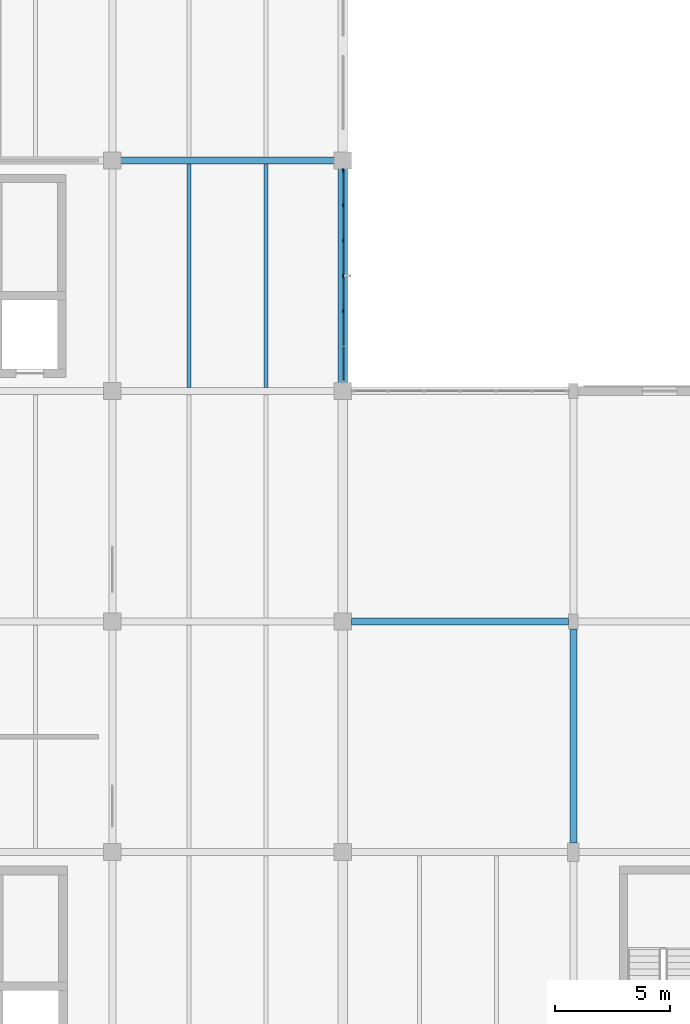
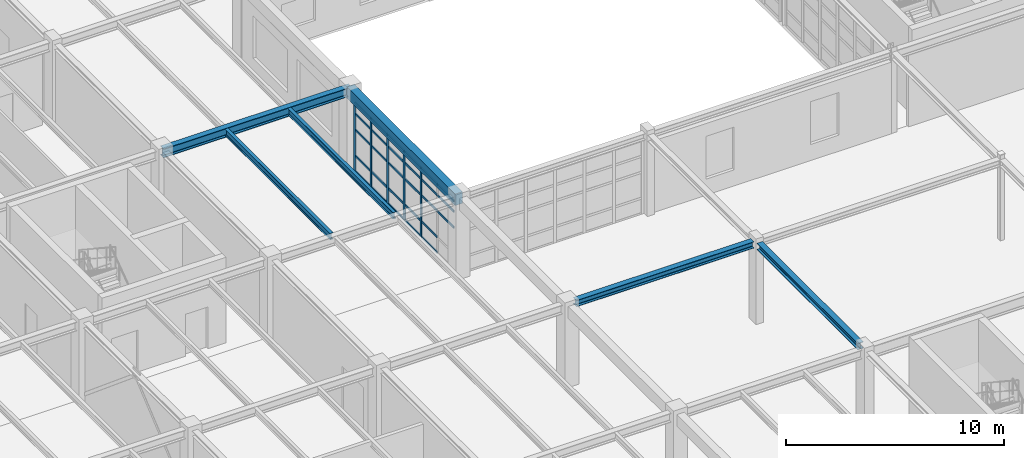
# One storey, part 34 of 139: 33 members, 6 beams, 1 element without a shape of its own.
"""IFC4 building model written with IfcOpenShell, lengths in metres."""

from ifc_helpers import new_model, si_unit, direction, frame, origin, origin_2d, place, context, subcontext, project, spatial, rectangle, i_section, extrude, material, layer, layer_set, material_profile, profile_set, type_object, element, aggregate, save


model = new_model("IFC4")

# Units and contexts
model_context = context("Model", 3, precision=1e-05, world=origin(), true_north=direction((0.0, 1.0)))
body_context = subcontext(model_context, "Body", "Model", "MODEL_VIEW")
ifc_project = project(units=[si_unit("LENGTHUNIT", "METRE"), si_unit("AREAUNIT", "SQUARE_METRE"), si_unit("VOLUMEUNIT", "CUBIC_METRE"), si_unit("PLANEANGLEUNIT", "RADIAN"), si_unit("MASSUNIT", "GRAM", prefix="KILO"), si_unit("THERMODYNAMICTEMPERATUREUNIT", "KELVIN"), si_unit("POWERUNIT", "WATT")], contexts=[model_context])

# Site, building, storey
site_placement = place(None, origin())
site = spatial("IfcSite", under=ifc_project, at=site_placement, CompositionType="ELEMENT")
building_placement = place(site_placement, origin())
building = spatial("IfcBuilding", under=site, at=building_placement, Name="Korenveer Ferry Terminal", CompositionType="ELEMENT")
storey_placement = place(building_placement, frame((0.0, 0.0, 5.39990234375)))
storey = spatial("IfcBuildingStorey", under=building, at=storey_placement, Name="L01", CompositionType="ELEMENT", Elevation=5.39990234375)

# Curtain wall, members
ifc_material_1 = material(Name="Unitised bronze-and-glass curtain wall", Category="glass")
ifc_layer = layer(ifc_material_1, 0.159912109375)
ifc_layer_set = layer_set([ifc_layer], Name="Unitised bronze-and-glass curtain wall")
curtain_wall_type = type_object("IfcCurtainWallType", Name="ENV-CW-63", PredefinedType="USERDEFINED", material=ifc_layer_set)
curtain_wall_placement = place(storey_placement, frame((30.0, 59.594970703125, 0.0)))
curtain_wall = element("IfcCurtainWall", 1, at=curtain_wall_placement, inside=storey, type_object=curtain_wall_type, Name="Lancet curtain wall CWX-L01-X30-30-Y50-60", ObjectType="UNITISED CURTAIN WALL", PredefinedType="USERDEFINED")
ifc_material_2 = material(Name="Anodised bronze aluminium", Category="aluminium")
ifc_material_profile_1 = material_profile(ifc_material_2, rectangle(XDim=0.06005859375, YDim=0.159912109375, at=origin_2d()), Name="ALU 60x160")
ifc_profile_set_1 = profile_set([ifc_material_profile_1], Name="Anodised bronze aluminium")
member_type_1 = type_object("IfcMemberType", Name="ENV-CWM-60X160", PredefinedType="MULLION", material=ifc_profile_set_1)
member_1_placement = place(storey_placement, frame((30.0, 59.56494140625, 0.0), z_axis=(0.0, 0.0, 1.0), x_axis=(1.0, 0.0, 0.0)))
member_1 = element("IfcMember", 2, at=member_1_placement, type_object=member_type_1, Name="CW-63 mullion 1", PredefinedType="MULLION", context=body_context, shape_type="SweptSolid", body=[
    extrude(rectangle(XDim=0.06005859375, YDim=0.159912109375, at=origin_2d()), origin(), (0.0, 0.0, 1.0), 3.8701171875),
])
member_2_placement = place(storey_placement, frame((30.0, 58.063232421875, 0.0), z_axis=(0.0, 0.0, 1.0), x_axis=(1.0, 0.0, 0.0)))
member_2 = element("IfcMember", 3, at=member_2_placement, type_object=member_type_1, Name="CW-63 mullion 2", PredefinedType="MULLION", context=body_context, shape_type="SweptSolid", body=[
    extrude(rectangle(XDim=0.06005859375, YDim=0.159912109375, at=origin_2d()), origin(), (0.0, 0.0, 1.0), 3.8701171875),
])
member_3_placement = place(storey_placement, frame((30.0, 56.53173828125, 0.0), z_axis=(0.0, 0.0, 1.0), x_axis=(1.0, 0.0, 0.0)))
member_3 = element("IfcMember", 4, at=member_3_placement, type_object=member_type_1, Name="CW-63 mullion 3", PredefinedType="MULLION", context=body_context, shape_type="SweptSolid", body=[
    extrude(rectangle(XDim=0.06005859375, YDim=0.159912109375, at=origin_2d()), origin(), (0.0, 0.0, 1.0), 3.8701171875),
])
member_4_placement = place(storey_placement, frame((30.0, 55.0, 0.0), z_axis=(0.0, 0.0, 1.0), x_axis=(1.0, 0.0, 0.0)))
member_4 = element("IfcMember", 5, at=member_4_placement, type_object=member_type_1, Name="CW-63 mullion 4", PredefinedType="MULLION", context=body_context, shape_type="SweptSolid", body=[
    extrude(rectangle(XDim=0.06005859375, YDim=0.159912109375, at=origin_2d()), origin(), (0.0, 0.0, 1.0), 3.8701171875),
])
member_5_placement = place(storey_placement, frame((30.0, 53.46826171875, 0.0), z_axis=(0.0, 0.0, 1.0), x_axis=(1.0, 0.0, 0.0)))
member_5 = element("IfcMember", 6, at=member_5_placement, type_object=member_type_1, Name="CW-63 mullion 5", PredefinedType="MULLION", context=body_context, shape_type="SweptSolid", body=[
    extrude(rectangle(XDim=0.06005859375, YDim=0.159912109375, at=origin_2d()), origin(), (0.0, 0.0, 1.0), 3.8701171875),
])
ifc_material_profile_2 = material_profile(ifc_material_2, rectangle(XDim=0.06005859375, YDim=0.1201171875, at=origin_2d()), Name="ALU 60x120")
ifc_profile_set_2 = profile_set([ifc_material_profile_2], Name="Anodised bronze aluminium")
member_type_2 = type_object("IfcMemberType", Name="ENV-CWT-60X120", PredefinedType="USERDEFINED", material=ifc_profile_set_2)
member_6_placement = place(storey_placement, frame((30.0, 59.534912109375, 0.030029296875), z_axis=(0.0, -1.0, 0.0), x_axis=(1.0, 0.0, 0.0)))
member_6 = element("IfcMember", 7, at=member_6_placement, type_object=member_type_2, Name="CW-63 transom 1.1", ObjectType="TRANSOM", PredefinedType="USERDEFINED", context=body_context, shape_type="SweptSolid", body=[
    extrude(rectangle(XDim=0.06005859375, YDim=0.1201171875, at=origin_2d()), origin(), (0.0, 0.0, 1.0), 1.441650390625),
])
member_7_placement = place(storey_placement, frame((30.0, 59.534912109375, 0.900146484375), z_axis=(0.0, -1.0, 0.0), x_axis=(1.0, 0.0, 0.0)))
member_7 = element("IfcMember", 8, at=member_7_placement, type_object=member_type_2, Name="CW-63 transom 1.2", ObjectType="TRANSOM", PredefinedType="USERDEFINED", context=body_context, shape_type="SweptSolid", body=[
    extrude(rectangle(XDim=0.06005859375, YDim=0.1201171875, at=origin_2d()), origin(), (0.0, 0.0, 1.0), 1.441650390625),
])
member_8_placement = place(storey_placement, frame((30.0, 59.534912109375, 2.35009765625), z_axis=(0.0, -1.0, 0.0), x_axis=(1.0, 0.0, 0.0)))
member_8 = element("IfcMember", 9, at=member_8_placement, type_object=member_type_2, Name="CW-63 transom 1.3", ObjectType="TRANSOM", PredefinedType="USERDEFINED", context=body_context, shape_type="SweptSolid", body=[
    extrude(rectangle(XDim=0.06005859375, YDim=0.1201171875, at=origin_2d()), origin(), (0.0, 0.0, 1.0), 1.441650390625),
])
member_9_placement = place(storey_placement, frame((30.0, 59.534912109375, 3.25), z_axis=(0.0, -1.0, 0.0), x_axis=(1.0, 0.0, 0.0)))
member_9 = element("IfcMember", 10, at=member_9_placement, type_object=member_type_2, Name="CW-63 transom 1.4", ObjectType="TRANSOM", PredefinedType="USERDEFINED", context=body_context, shape_type="SweptSolid", body=[
    extrude(rectangle(XDim=0.06005859375, YDim=0.1201171875, at=origin_2d()), origin(), (0.0, 0.0, 1.0), 1.441650390625),
])
member_10_placement = place(storey_placement, frame((30.0, 59.534912109375, 3.840087890625), z_axis=(0.0, -1.0, 0.0), x_axis=(1.0, 0.0, 0.0)))
member_10 = element("IfcMember", 11, at=member_10_placement, type_object=member_type_2, Name="CW-63 transom 1.5", ObjectType="TRANSOM", PredefinedType="USERDEFINED", context=body_context, shape_type="SweptSolid", body=[
    extrude(rectangle(XDim=0.06005859375, YDim=0.1201171875, at=origin_2d()), origin(), (0.0, 0.0, 1.0), 1.441650390625),
])
member_11_placement = place(storey_placement, frame((30.0, 58.033447265625, 0.030029296875), z_axis=(0.0, -1.0, 0.0), x_axis=(1.0, 0.0, 0.0)))
member_11 = element("IfcMember", 12, at=member_11_placement, type_object=member_type_2, Name="CW-63 transom 2.1", ObjectType="TRANSOM", PredefinedType="USERDEFINED", context=body_context, shape_type="SweptSolid", body=[
    extrude(rectangle(XDim=0.06005859375, YDim=0.1201171875, at=origin_2d()), origin(), (0.0, 0.0, 1.0), 1.4716796875),
])
member_12_placement = place(storey_placement, frame((30.0, 58.033447265625, 0.900146484375), z_axis=(0.0, -1.0, 0.0), x_axis=(1.0, 0.0, 0.0)))
member_12 = element("IfcMember", 13, at=member_12_placement, type_object=member_type_2, Name="CW-63 transom 2.2", ObjectType="TRANSOM", PredefinedType="USERDEFINED", context=body_context, shape_type="SweptSolid", body=[
    extrude(rectangle(XDim=0.06005859375, YDim=0.1201171875, at=origin_2d()), origin(), (0.0, 0.0, 1.0), 1.4716796875),
])
member_13_placement = place(storey_placement, frame((30.0, 58.033447265625, 2.35009765625), z_axis=(0.0, -1.0, 0.0), x_axis=(1.0, 0.0, 0.0)))
member_13 = element("IfcMember", 14, at=member_13_placement, type_object=member_type_2, Name="CW-63 transom 2.3", ObjectType="TRANSOM", PredefinedType="USERDEFINED", context=body_context, shape_type="SweptSolid", body=[
    extrude(rectangle(XDim=0.06005859375, YDim=0.1201171875, at=origin_2d()), origin(), (0.0, 0.0, 1.0), 1.4716796875),
])
member_14_placement = place(storey_placement, frame((30.0, 58.033447265625, 3.25), z_axis=(0.0, -1.0, 0.0), x_axis=(1.0, 0.0, 0.0)))
member_14 = element("IfcMember", 15, at=member_14_placement, type_object=member_type_2, Name="CW-63 transom 2.4", ObjectType="TRANSOM", PredefinedType="USERDEFINED", context=body_context, shape_type="SweptSolid", body=[
    extrude(rectangle(XDim=0.06005859375, YDim=0.1201171875, at=origin_2d()), origin(), (0.0, 0.0, 1.0), 1.4716796875),
])
member_15_placement = place(storey_placement, frame((30.0, 58.033447265625, 3.840087890625), z_axis=(0.0, -1.0, 0.0), x_axis=(1.0, 0.0, 0.0)))
member_15 = element("IfcMember", 16, at=member_15_placement, type_object=member_type_2, Name="CW-63 transom 2.5", ObjectType="TRANSOM", PredefinedType="USERDEFINED", context=body_context, shape_type="SweptSolid", body=[
    extrude(rectangle(XDim=0.06005859375, YDim=0.1201171875, at=origin_2d()), origin(), (0.0, 0.0, 1.0), 1.4716796875),
])
member_16_placement = place(storey_placement, frame((30.0, 56.501708984375, 0.030029296875), z_axis=(0.0, -1.0, 0.0), x_axis=(1.0, 0.0, 0.0)))
member_16 = element("IfcMember", 17, at=member_16_placement, type_object=member_type_2, Name="CW-63 transom 3.1", ObjectType="TRANSOM", PredefinedType="USERDEFINED", context=body_context, shape_type="SweptSolid", body=[
    extrude(rectangle(XDim=0.06005859375, YDim=0.1201171875, at=origin_2d()), origin(), (0.0, 0.0, 1.0), 1.4716796875),
])
member_17_placement = place(storey_placement, frame((30.0, 56.501708984375, 0.900146484375), z_axis=(0.0, -1.0, 0.0), x_axis=(1.0, 0.0, 0.0)))
member_17 = element("IfcMember", 18, at=member_17_placement, type_object=member_type_2, Name="CW-63 transom 3.2", ObjectType="TRANSOM", PredefinedType="USERDEFINED", context=body_context, shape_type="SweptSolid", body=[
    extrude(rectangle(XDim=0.06005859375, YDim=0.1201171875, at=origin_2d()), origin(), (0.0, 0.0, 1.0), 1.4716796875),
])
member_18_placement = place(storey_placement, frame((30.0, 56.501708984375, 2.35009765625), z_axis=(0.0, -1.0, 0.0), x_axis=(1.0, 0.0, 0.0)))
member_18 = element("IfcMember", 19, at=member_18_placement, type_object=member_type_2, Name="CW-63 transom 3.3", ObjectType="TRANSOM", PredefinedType="USERDEFINED", context=body_context, shape_type="SweptSolid", body=[
    extrude(rectangle(XDim=0.06005859375, YDim=0.1201171875, at=origin_2d()), origin(), (0.0, 0.0, 1.0), 1.4716796875),
])
member_19_placement = place(storey_placement, frame((30.0, 56.501708984375, 3.25), z_axis=(0.0, -1.0, 0.0), x_axis=(1.0, 0.0, 0.0)))
member_19 = element("IfcMember", 20, at=member_19_placement, type_object=member_type_2, Name="CW-63 transom 3.4", ObjectType="TRANSOM", PredefinedType="USERDEFINED", context=body_context, shape_type="SweptSolid", body=[
    extrude(rectangle(XDim=0.06005859375, YDim=0.1201171875, at=origin_2d()), origin(), (0.0, 0.0, 1.0), 1.4716796875),
])
member_20_placement = place(storey_placement, frame((30.0, 56.501708984375, 3.840087890625), z_axis=(0.0, -1.0, 0.0), x_axis=(1.0, 0.0, 0.0)))
member_20 = element("IfcMember", 21, at=member_20_placement, type_object=member_type_2, Name="CW-63 transom 3.5", ObjectType="TRANSOM", PredefinedType="USERDEFINED", context=body_context, shape_type="SweptSolid", body=[
    extrude(rectangle(XDim=0.06005859375, YDim=0.1201171875, at=origin_2d()), origin(), (0.0, 0.0, 1.0), 1.4716796875),
])
member_21_placement = place(storey_placement, frame((30.0, 54.969970703125, 0.030029296875), z_axis=(0.0, -1.0, 0.0), x_axis=(1.0, 0.0, 0.0)))
member_21 = element("IfcMember", 22, at=member_21_placement, type_object=member_type_2, Name="CW-63 transom 4.1", ObjectType="TRANSOM", PredefinedType="USERDEFINED", context=body_context, shape_type="SweptSolid", body=[
    extrude(rectangle(XDim=0.06005859375, YDim=0.1201171875, at=origin_2d()), origin(), (0.0, 0.0, 1.0), 1.4716796875),
])
member_22_placement = place(storey_placement, frame((30.0, 54.969970703125, 0.900146484375), z_axis=(0.0, -1.0, 0.0), x_axis=(1.0, 0.0, 0.0)))
member_22 = element("IfcMember", 23, at=member_22_placement, type_object=member_type_2, Name="CW-63 transom 4.2", ObjectType="TRANSOM", PredefinedType="USERDEFINED", context=body_context, shape_type="SweptSolid", body=[
    extrude(rectangle(XDim=0.06005859375, YDim=0.1201171875, at=origin_2d()), origin(), (0.0, 0.0, 1.0), 1.4716796875),
])
member_23_placement = place(storey_placement, frame((30.0, 54.969970703125, 2.35009765625), z_axis=(0.0, -1.0, 0.0), x_axis=(1.0, 0.0, 0.0)))
member_23 = element("IfcMember", 24, at=member_23_placement, type_object=member_type_2, Name="CW-63 transom 4.3", ObjectType="TRANSOM", PredefinedType="USERDEFINED", context=body_context, shape_type="SweptSolid", body=[
    extrude(rectangle(XDim=0.06005859375, YDim=0.1201171875, at=origin_2d()), origin(), (0.0, 0.0, 1.0), 1.4716796875),
])
member_24_placement = place(storey_placement, frame((30.0, 54.969970703125, 3.25), z_axis=(0.0, -1.0, 0.0), x_axis=(1.0, 0.0, 0.0)))
member_24 = element("IfcMember", 25, at=member_24_placement, type_object=member_type_2, Name="CW-63 transom 4.4", ObjectType="TRANSOM", PredefinedType="USERDEFINED", context=body_context, shape_type="SweptSolid", body=[
    extrude(rectangle(XDim=0.06005859375, YDim=0.1201171875, at=origin_2d()), origin(), (0.0, 0.0, 1.0), 1.4716796875),
])
member_25_placement = place(storey_placement, frame((30.0, 54.969970703125, 3.840087890625), z_axis=(0.0, -1.0, 0.0), x_axis=(1.0, 0.0, 0.0)))
member_25 = element("IfcMember", 26, at=member_25_placement, type_object=member_type_2, Name="CW-63 transom 4.5", ObjectType="TRANSOM", PredefinedType="USERDEFINED", context=body_context, shape_type="SweptSolid", body=[
    extrude(rectangle(XDim=0.06005859375, YDim=0.1201171875, at=origin_2d()), origin(), (0.0, 0.0, 1.0), 1.4716796875),
])
member_26_placement = place(storey_placement, frame((30.0, 53.438232421875, 0.030029296875), z_axis=(0.0, -1.0, 0.0), x_axis=(1.0, 0.0, 0.0)))
member_26 = element("IfcMember", 27, at=member_26_placement, type_object=member_type_2, Name="CW-63 transom 5.1", ObjectType="TRANSOM", PredefinedType="USERDEFINED", context=body_context, shape_type="SweptSolid", body=[
    extrude(rectangle(XDim=0.06005859375, YDim=0.1201171875, at=origin_2d()), origin(), (0.0, 0.0, 1.0), 1.4716796875),
])
member_27_placement = place(storey_placement, frame((30.0, 53.438232421875, 0.900146484375), z_axis=(0.0, -1.0, 0.0), x_axis=(1.0, 0.0, 0.0)))
member_27 = element("IfcMember", 28, at=member_27_placement, type_object=member_type_2, Name="CW-63 transom 5.2", ObjectType="TRANSOM", PredefinedType="USERDEFINED", context=body_context, shape_type="SweptSolid", body=[
    extrude(rectangle(XDim=0.06005859375, YDim=0.1201171875, at=origin_2d()), origin(), (0.0, 0.0, 1.0), 1.4716796875),
])
member_28_placement = place(storey_placement, frame((30.0, 53.438232421875, 2.35009765625), z_axis=(0.0, -1.0, 0.0), x_axis=(1.0, 0.0, 0.0)))
member_28 = element("IfcMember", 29, at=member_28_placement, type_object=member_type_2, Name="CW-63 transom 5.3", ObjectType="TRANSOM", PredefinedType="USERDEFINED", context=body_context, shape_type="SweptSolid", body=[
    extrude(rectangle(XDim=0.06005859375, YDim=0.1201171875, at=origin_2d()), origin(), (0.0, 0.0, 1.0), 1.4716796875),
])
member_29_placement = place(storey_placement, frame((30.0, 53.438232421875, 3.25), z_axis=(0.0, -1.0, 0.0), x_axis=(1.0, 0.0, 0.0)))
member_29 = element("IfcMember", 30, at=member_29_placement, type_object=member_type_2, Name="CW-63 transom 5.4", ObjectType="TRANSOM", PredefinedType="USERDEFINED", context=body_context, shape_type="SweptSolid", body=[
    extrude(rectangle(XDim=0.06005859375, YDim=0.1201171875, at=origin_2d()), origin(), (0.0, 0.0, 1.0), 1.4716796875),
])
member_30_placement = place(storey_placement, frame((30.0, 53.438232421875, 3.840087890625), z_axis=(0.0, -1.0, 0.0), x_axis=(1.0, 0.0, 0.0)))
member_30 = element("IfcMember", 31, at=member_30_placement, type_object=member_type_2, Name="CW-63 transom 5.5", ObjectType="TRANSOM", PredefinedType="USERDEFINED", context=body_context, shape_type="SweptSolid", body=[
    extrude(rectangle(XDim=0.06005859375, YDim=0.1201171875, at=origin_2d()), origin(), (0.0, 0.0, 1.0), 1.4716796875),
])
member_31_placement = place(storey_placement, frame((30.0, 51.90673828125, 2.35009765625), z_axis=(0.0, -1.0, 0.0), x_axis=(1.0, 0.0, 0.0)))
member_31 = element("IfcMember", 32, at=member_31_placement, type_object=member_type_2, Name="CW-63 transom 6.3", ObjectType="TRANSOM", PredefinedType="USERDEFINED", context=body_context, shape_type="SweptSolid", body=[
    extrude(rectangle(XDim=0.06005859375, YDim=0.1201171875, at=origin_2d()), origin(), (0.0, 0.0, 1.0), 1.441650390625),
])
member_32_placement = place(storey_placement, frame((30.0, 51.90673828125, 3.25), z_axis=(0.0, -1.0, 0.0), x_axis=(1.0, 0.0, 0.0)))
member_32 = element("IfcMember", 33, at=member_32_placement, type_object=member_type_2, Name="CW-63 transom 6.4", ObjectType="TRANSOM", PredefinedType="USERDEFINED", context=body_context, shape_type="SweptSolid", body=[
    extrude(rectangle(XDim=0.06005859375, YDim=0.1201171875, at=origin_2d()), origin(), (0.0, 0.0, 1.0), 1.441650390625),
])
member_33_placement = place(storey_placement, frame((30.0, 51.90673828125, 3.840087890625), z_axis=(0.0, -1.0, 0.0), x_axis=(1.0, 0.0, 0.0)))
member_33 = element("IfcMember", 34, at=member_33_placement, type_object=member_type_2, Name="CW-63 transom 6.5", ObjectType="TRANSOM", PredefinedType="USERDEFINED", context=body_context, shape_type="SweptSolid", body=[
    extrude(rectangle(XDim=0.06005859375, YDim=0.1201171875, at=origin_2d()), origin(), (0.0, 0.0, 1.0), 1.441650390625),
])
aggregate(curtain_wall, [member_1, member_2, member_3, member_4, member_5, member_6, member_7, member_8, member_9, member_10, member_11, member_12, member_13, member_14, member_15, member_16, member_17, member_18, member_19, member_20, member_21, member_22, member_23, member_24, member_25, member_26, member_27, member_28, member_29, member_30, member_31, member_32, member_33])

# Beams
ifc_material_3 = material(Name="Steel S355", Category="steel")
ifc_material_profile_3 = material_profile(ifc_material_3, i_section(OverallWidth=0.300048828125, OverallDepth=0.360107421875, WebThickness=0.012451171875, FlangeThickness=0.0224609375, FilletRadius=0.027099609375, at=origin_2d()), Name="HEB 360")
ifc_profile_set_3 = profile_set([ifc_material_profile_3], Name="Steel S355")
beam_type_1 = type_object("IfcBeamType", Name="STR-BM-HEB360", PredefinedType="BEAM", material=ifc_profile_set_3)
beam_1_placement = place(storey_placement, frame((30.375, 40.0, 4.3701171875), z_axis=(1.0, 0.0, 0.0), x_axis=(0.0, 1.0, 0.0)))
element("IfcBeam", 35, at=beam_1_placement, inside=storey, type_object=beam_type_1, Name="Cloister pergola trellis girder BMPERG-X30-40-Y40", PredefinedType="BEAM", context=body_context, shape_type="SweptSolid", body=[
    extrude(i_section(OverallWidth=0.300048828125, OverallDepth=0.360107421875, WebThickness=0.012451171875, FlangeThickness=0.0224609375, FilletRadius=0.027099609375, at=origin_2d()), origin(), (0.0, 0.0, 1.0), 9.425048828125),
])
beam_2_placement = place(storey_placement, frame((40.0, 30.39990234375, 4.3701171875), z_axis=(0.0, 1.0, 0.0), x_axis=(-1.0, 0.0, 0.0)))
element("IfcBeam", 36, at=beam_2_placement, inside=storey, type_object=beam_type_1, Name="Cloister pergola trellis girder BMPERG-X40-Y30-40", PredefinedType="BEAM", context=body_context, shape_type="SweptSolid", body=[
    extrude(i_section(OverallWidth=0.300048828125, OverallDepth=0.360107421875, WebThickness=0.012451171875, FlangeThickness=0.0224609375, FilletRadius=0.027099609375, at=origin_2d()), origin(), (0.0, 0.0, 1.0), 9.275146484375),
])
ifc_material_profile_4 = material_profile(ifc_material_3, i_section(OverallWidth=0.300048828125, OverallDepth=0.5, WebThickness=0.014404296875, FlangeThickness=0.028076171875, FilletRadius=0.027099609375, at=origin_2d()), Name="HEB 500")
ifc_profile_set_4 = profile_set([ifc_material_profile_4], Name="Steel S355")
beam_type_2 = type_object("IfcBeamType", Name="STR-BM-HEB500", PredefinedType="BEAM", material=ifc_profile_set_4)
beam_3_placement = place(storey_placement, frame((20.02001953125, 60.0, 4.300048828125), z_axis=(1.0, 0.0, 0.0), x_axis=(0.0, 1.0, 0.0)))
element("IfcBeam", 37, at=beam_3_placement, inside=storey, type_object=beam_type_2, Name="Primary X girder BMX-L02-X20-30-Y60", PredefinedType="BEAM", context=body_context, shape_type="SweptSolid", body=[
    extrude(i_section(OverallWidth=0.300048828125, OverallDepth=0.5, WebThickness=0.014404296875, FlangeThickness=0.028076171875, FilletRadius=0.027099609375, at=origin_2d()), origin(), (0.0, 0.0, 1.0), 9.9599609375),
])
ifc_material_4 = material(Name="Concrete C40/50", Category="concrete")
ifc_material_profile_5 = material_profile(ifc_material_4, rectangle(XDim=0.39990234375, YDim=0.64990234375, at=origin_2d()), Name="RC 400x650")
ifc_profile_set_5 = profile_set([ifc_material_profile_5], Name="Concrete C40/50")
beam_type_3 = type_object("IfcBeamType", Name="STR-BM-RC400X650", PredefinedType="BEAM", material=ifc_profile_set_5)
beam_4_placement = place(storey_placement, frame((30.0, 50.02001953125, 4.22509765625), z_axis=(0.0, 1.0, 0.0), x_axis=(-1.0, 0.0, 0.0)))
element("IfcBeam", 38, at=beam_4_placement, inside=storey, type_object=beam_type_3, Name="Primary Y girder BMY-L02-X30-Y50-60", PredefinedType="BEAM", context=body_context, shape_type="SweptSolid", body=[
    extrude(rectangle(XDim=0.39990234375, YDim=0.64990234375, at=origin_2d()), origin(), (0.0, 0.0, 1.0), 9.9599609375),
])
ifc_material_profile_6 = material_profile(ifc_material_3, i_section(OverallWidth=0.169921875, OverallDepth=0.360107421875, WebThickness=0.008056640625, FlangeThickness=0.0126953125, FilletRadius=0.01806640625, at=origin_2d()), Name="IPE 360")
ifc_profile_set_6 = profile_set([ifc_material_profile_6], Name="Steel S355")
beam_type_4 = type_object("IfcBeamType", Name="STR-JST-IPE360", PredefinedType="JOIST", material=ifc_profile_set_6)
for number, where, z_axis, x_axis, name in (
    (39, (23.333251953125, 50.159912109375, 4.3701171875), (0.0, 1.0, 0.0), (-1.0, 0.0, 0.0), "Secondary composite joist JST-L02-X233-Y50-60"),
    (40, (26.666748046875, 50.159912109375, 4.3701171875), (0.0, 1.0, 0.0), (-1.0, 0.0, 0.0), "Secondary composite joist JST-L02-X267-Y50-60"),
):
    element("IfcBeam", number, at=place(storey_placement, frame(where, z_axis=z_axis, x_axis=x_axis)), inside=storey, type_object=beam_type_4, Name=name, PredefinedType="JOIST", context=body_context, shape_type="SweptSolid", body=[
        extrude(i_section(OverallWidth=0.169921875, OverallDepth=0.360107421875, WebThickness=0.008056640625, FlangeThickness=0.0126953125, FilletRadius=0.01806640625, at=origin_2d()), origin(), (0.0, 0.0, 1.0), 9.68017578125),
    ])

save(model, "model.ifc")
